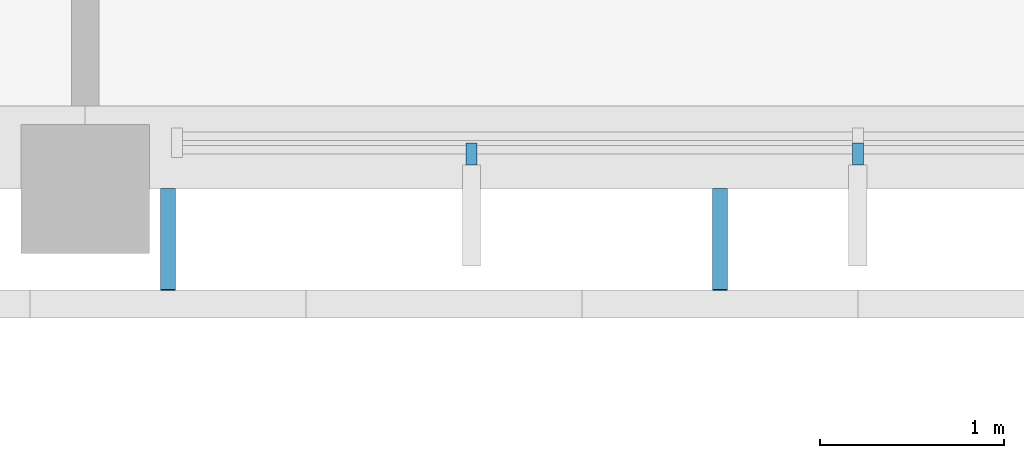
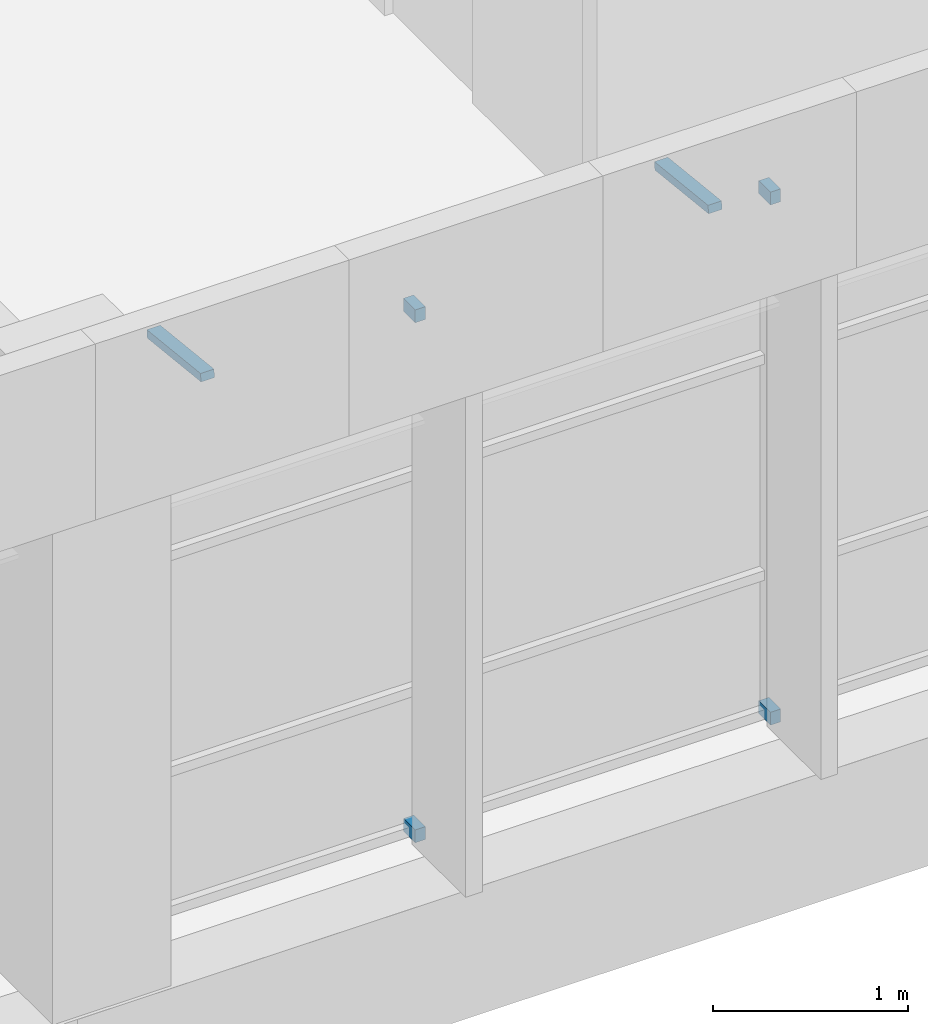
# One storey, part 50 of 74: 6 discrete accessories.
"""IFC4 building model written with IfcOpenShell, lengths in metres."""

from ifc_helpers import new_model, si_unit, direction, frame, origin, origin_2d, place, context, subcontext, project, spatial, rectangle, extrude, material, material_profile, profile_set, type_object, element, save


model = new_model("IFC4")

# Units and contexts
model_context = context("Model", 3, precision=1e-05, world=origin(), true_north=direction((0.0, 1.0)))
body_context = subcontext(model_context, "Body", "Model", "MODEL_VIEW")
ifc_project = project(units=[si_unit("LENGTHUNIT", "METRE"), si_unit("AREAUNIT", "SQUARE_METRE"), si_unit("VOLUMEUNIT", "CUBIC_METRE"), si_unit("PLANEANGLEUNIT", "RADIAN"), si_unit("MASSUNIT", "GRAM", prefix="KILO")], contexts=[model_context])

# Site, building, storey
site_placement = place(None, origin())
site = spatial("IfcSite", under=ifc_project, at=site_placement, CompositionType="ELEMENT")
building_placement = place(site_placement, origin())
building = spatial("IfcBuilding", under=site, at=building_placement, Name="Bougainvillea Quay General Hospital", CompositionType="ELEMENT")
storey_placement = place(building_placement, frame((0.0, 0.0, 21.0)))
storey = spatial("IfcBuildingStorey", under=building, at=storey_placement, Name="L04", CompositionType="ELEMENT", Elevation=21.0)

# Discrete accessories
ifc_material = material(Name="Stainless steel bracket, grade 316", Category="steel")
discrete_accessory_type_1 = type_object("IfcDiscreteAccessoryType", Name="Stainless steel fin arm 60x80", PredefinedType="BRACKET", material=ifc_material)
for number, where, z_axis, x_axis, name in (
    (1, (105.0, 117.7900390625, 0.0), (0.0, 0.0, 1.0), (0.0, -1.0, 0.0), "Fin arm V5B L04 01.23B"),
    (2, (105.0, 117.7900390625, 3.25), (0.0, 0.0, 1.0), (0.0, -1.0, 0.0), "Fin arm V5B L04 01.23T"),
    (3, (102.89990234375, 117.7900390625, 0.0), (0.0, 0.0, 1.0), (0.0, -1.0, 0.0), "Fin arm V5B L04 01.24B"),
    (4, (102.89990234375, 117.7900390625, 3.25), (0.0, 0.0, 1.0), (0.0, -1.0, 0.0), "Fin arm V5B L04 01.24T"),
):
    element("IfcDiscreteAccessory", number, at=place(storey_placement, frame(where, z_axis=z_axis, x_axis=x_axis)), inside=storey, type_object=discrete_accessory_type_1, Name=name, PredefinedType="BRACKET", context=body_context, shape_type="SweptSolid", body=[
        extrude(rectangle(XDim=0.1201171875, YDim=0.06005859375, at=origin_2d()), origin(), (0.0, 0.0, 1.0), 0.080078125),
    ])
ifc_material_profile = material_profile(ifc_material, rectangle(XDim=0.080078125, YDim=0.050048828125, at=origin_2d()))
ifc_profile_set = profile_set([ifc_material_profile], Name="Stainless steel bracket, grade 316")
discrete_accessory_type_2 = type_object("IfcDiscreteAccessoryType", Name="Stainless steel stand-off bracket 80x50", PredefinedType="BRACKET", material=ifc_profile_set)
for number, where, z_axis, x_axis, name in (
    (5, (101.25, 117.60009765625, 3.840087890625), (0.0, -0.994139309541, 0.108106582706), (1.0, 0.0, 0.0), "Fascia bracket e0 53"),
    (6, (104.25, 117.60009765625, 3.840087890625), (0.0, -0.994139309541, 0.108106582706), (1.0, 0.0, 0.0), "Fascia bracket e0 55"),
):
    element("IfcDiscreteAccessory", number, at=place(storey_placement, frame(where, z_axis=z_axis, x_axis=x_axis)), inside=storey, type_object=discrete_accessory_type_2, Name=name, PredefinedType="BRACKET", context=body_context, shape_type="SweptSolid", body=[
        extrude(rectangle(XDim=0.080078125, YDim=0.050048828125, at=origin_2d()), origin(), (0.0, 0.0, 1.0), 0.55322265625),
    ])

save(model, "model.ifc")
